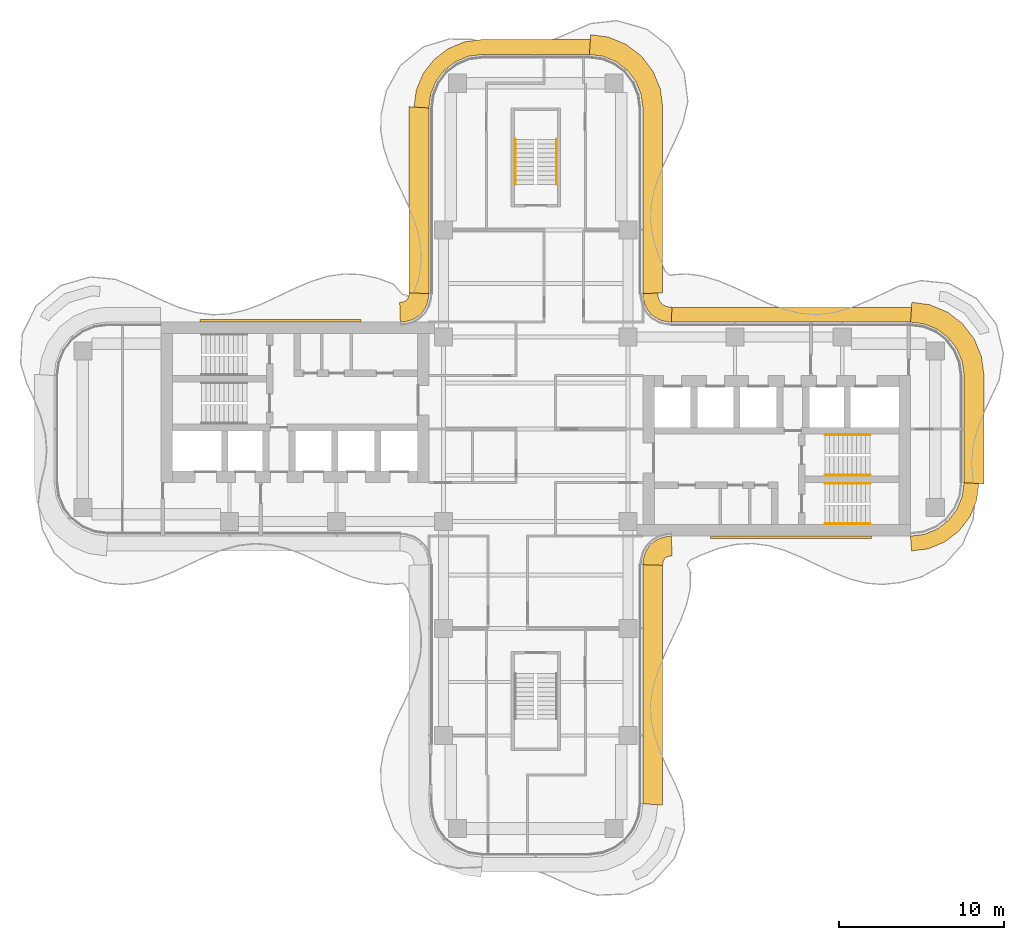
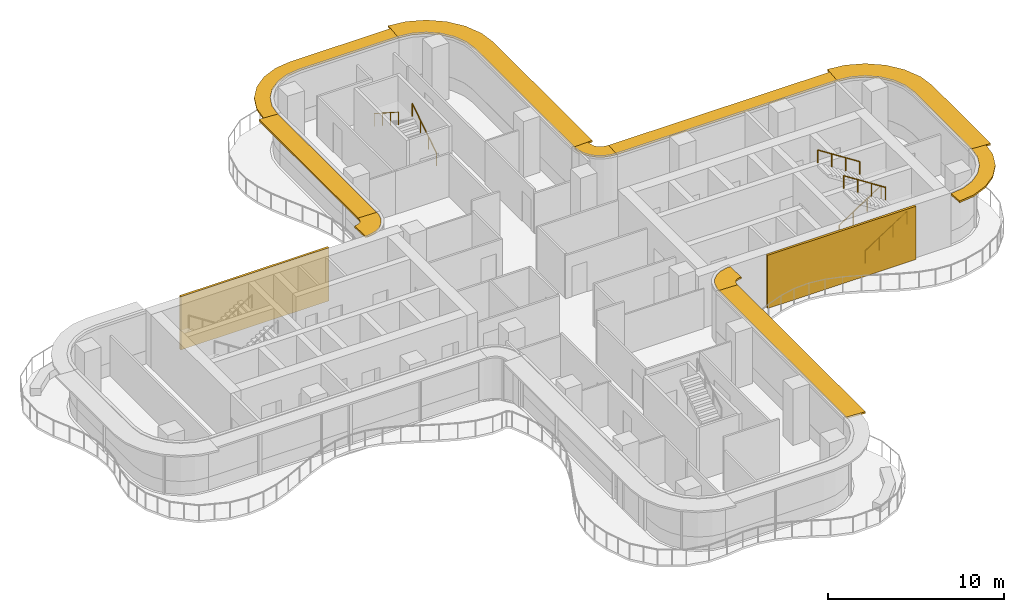
# One storey, part 17 of 17: 10 shading devices, 6 railings, 2 coverings.
"""IFC4 building model written with IfcOpenShell, lengths in metres."""

from ifc_helpers import new_model, si_unit, direction, frame, origin, origin_2d, place, context, subcontext, project, spatial, polyline, circle, outline, extrude, source, transform, mapped, material, layer, layer_set, type_object, element, save


model = new_model("IFC4")

# Units and contexts
model_context = context("Model", 3, precision=1e-05, world=origin(), true_north=direction((0.0, 1.0)))
body_context = subcontext(model_context, "Body", "Model", "MODEL_VIEW")
ifc_project = project(units=[si_unit("LENGTHUNIT", "METRE"), si_unit("AREAUNIT", "SQUARE_METRE"), si_unit("VOLUMEUNIT", "CUBIC_METRE"), si_unit("PLANEANGLEUNIT", "RADIAN"), si_unit("MASSUNIT", "GRAM", prefix="KILO")], contexts=[model_context])

# Site, building, storey
site_placement = place(None, origin())
site = spatial("IfcSite", under=ifc_project, at=site_placement, CompositionType="ELEMENT")
building_placement = place(site_placement, origin())
building = spatial("IfcBuilding", under=site, at=building_placement, Name="Trellis Farm Tower", CompositionType="ELEMENT")
storey_placement = place(building_placement, frame((0.0, 0.0, 240.199951171875)))
storey = spatial("IfcBuildingStorey", under=building, at=storey_placement, Name="L53", CompositionType="ELEMENT", Elevation=240.199951171875)

# Railings
ifc_material_1 = material(Name="Stainless steel", Category="steel")
railing_type = type_object("IfcRailingType", Name="STAIR HANDRAIL 900", PredefinedType="HANDRAIL", material=ifc_material_1)
shared_shape_1 = source(origin(), body_context, "Body", "SweptSolid", [
    extrude(circle(Radius=0.02392578125, at=origin_2d()), frame((0.0, 0.0, 0.8759765625), z_axis=(0.0, 0.840503830235, 0.541805602924), x_axis=(-1.0, 0.0, 0.0)), (0.0, 0.0, 1.0), 3.271728515625),
    extrude(circle(Radius=0.02099609375, at=origin_2d()), origin(), (0.0, 0.0, 1.0), 0.851806640625),
    extrude(circle(Radius=0.02099609375, at=origin_2d()), frame((0.0, 0.916748046875, 0.5908203125)), (0.0, 0.0, 1.0), 0.851806640625),
    extrude(circle(Radius=0.02099609375, at=origin_2d()), frame((0.0, 1.833251953125, 1.181884765625)), (0.0, 0.0, 1.0), 0.851806640625),
    extrude(circle(Radius=0.02099609375, at=origin_2d()), frame((0.0, 2.75, 1.772705078125)), (0.0, 0.0, 1.0), 0.851806640625),
])
railing_1_placement = place(storey_placement, frame((1.25, 14.85009765625, 0.17724609375)))
element("IfcRailing", 1, at=railing_1_placement, inside=storey, type_object=railing_type, Name="Stair handrail", PredefinedType="HANDRAIL", context=body_context, shape_type="MappedRepresentation", body=[
    mapped(shared_shape_1, transform((0.0, 0.0, 0.0))),
])
shared_shape_2 = source(origin(), body_context, "Body", "SweptSolid", [
    extrude(circle(Radius=0.02392578125, at=origin_2d()), frame((0.0, 0.0, 0.8759765625), z_axis=(0.0, -0.840503830235, 0.541805602924), x_axis=(1.0, 0.0, 0.0)), (0.0, 0.0, 1.0), 3.271728515625),
    extrude(circle(Radius=0.02099609375, at=origin_2d()), origin(), (0.0, 0.0, 1.0), 0.851806640625),
    extrude(circle(Radius=0.02099609375, at=origin_2d()), frame((0.0, -0.916748046875, 0.5908203125)), (0.0, 0.0, 1.0), 0.851806640625),
    extrude(circle(Radius=0.02099609375, at=origin_2d()), frame((0.0, -1.833251953125, 1.181884765625)), (0.0, 0.0, 1.0), 0.851806640625),
    extrude(circle(Radius=0.02099609375, at=origin_2d()), frame((0.0, -2.75, 1.772705078125)), (0.0, 0.0, 1.0), 0.851806640625),
])
railing_2_placement = place(storey_placement, frame((-1.25, 17.60009765625, 2.12744140625)))
element("IfcRailing", 2, at=railing_2_placement, inside=storey, type_object=railing_type, Name="Stair handrail", PredefinedType="HANDRAIL", context=body_context, shape_type="MappedRepresentation", body=[
    mapped(shared_shape_2, transform((0.0, 0.0, 0.0))),
])
shared_shape_3 = source(origin(), body_context, "Body", "SweptSolid", [
    extrude(circle(Radius=0.02392578125, at=origin_2d()), frame((0.0, 0.0, 0.8759765625), z_axis=(0.840503830235, 0.0, 0.541805602924), x_axis=(0.0, 1.0, 0.0)), (0.0, 0.0, 1.0), 3.271728515625),
    extrude(circle(Radius=0.02099609375, at=origin_2d()), origin(), (0.0, 0.0, 1.0), 0.851806640625),
    extrude(circle(Radius=0.02099609375, at=origin_2d()), frame((0.916748046875, 0.0, 0.5908203125)), (0.0, 0.0, 1.0), 0.851806640625),
    extrude(circle(Radius=0.02099609375, at=origin_2d()), frame((1.833251953125, 0.0, 1.181884765625)), (0.0, 0.0, 1.0), 0.851806640625),
    extrude(circle(Radius=0.02099609375, at=origin_2d()), frame((2.75, 0.0, 1.772705078125)), (0.0, 0.0, 1.0), 0.851806640625),
])
for number, where, name in (
    (3, (17.550048828125, -5.75, 0.17724609375), "Stair handrail"),
    (4, (17.550048828125, -2.800048828125, 0.17724609375), "Stair handrail"),
):
    element("IfcRailing", number, at=place(storey_placement, frame(where)), inside=storey, type_object=railing_type, Name=name, PredefinedType="HANDRAIL", context=body_context, shape_type="MappedRepresentation", body=[
        mapped(shared_shape_3, transform((0.0, 0.0, 0.0))),
    ])
shared_shape_4 = source(origin(), body_context, "Body", "SweptSolid", [
    extrude(circle(Radius=0.02392578125, at=origin_2d()), frame((0.0, 0.0, 0.8759765625), z_axis=(-0.840503830235, 0.0, 0.541805602924), x_axis=(0.0, -1.0, 0.0)), (0.0, 0.0, 1.0), 3.271728515625),
    extrude(circle(Radius=0.02099609375, at=origin_2d()), origin(), (0.0, 0.0, 1.0), 0.851806640625),
    extrude(circle(Radius=0.02099609375, at=origin_2d()), frame((-0.916748046875, 0.0, 0.5908203125)), (0.0, 0.0, 1.0), 0.851806640625),
    extrude(circle(Radius=0.02099609375, at=origin_2d()), frame((-1.833251953125, 0.0, 1.181884765625)), (0.0, 0.0, 1.0), 0.851806640625),
    extrude(circle(Radius=0.02099609375, at=origin_2d()), frame((-2.75, 0.0, 1.772705078125)), (0.0, 0.0, 1.0), 0.851806640625),
])
for number, where, name in (
    (5, (20.300048828125, -3.300048828125, 2.12744140625), "Stair handrail"),
    (6, (20.300048828125, -0.35009765625, 2.12744140625), "Stair handrail"),
):
    element("IfcRailing", number, at=place(storey_placement, frame(where)), inside=storey, type_object=railing_type, Name=name, PredefinedType="HANDRAIL", context=body_context, shape_type="MappedRepresentation", body=[
        mapped(shared_shape_4, transform((0.0, 0.0, 0.0))),
    ])

# Shading devices
ifc_material_2 = material(Name="Aluminium extrusion 6063-T6", Category="aluminium")
ifc_layer_1 = layer(ifc_material_2, 0.1201171875)
ifc_layer_set_1 = layer_set([ifc_layer_1], Name="SUNSHADE BLADE 1200")
shading_device_type_1 = type_object("IfcShadingDeviceType", Name="SUNSHADE BLADE 1200", PredefinedType="USERDEFINED", material=ifc_layer_set_1)
shared_shape_5 = source(origin(), body_context, "Body", "SweptSolid", [
    extrude(outline(polyline([(7.699951171875, -22.82861328125), (7.699951171875, -8.270751953125), (6.5, -8.2314453125), (6.5, -22.75), (7.699951171875, -22.82861328125)])), origin(), (0.0, 0.0, 1.0), 0.1201171875),
])
placement_1 = place(storey_placement, frame((0.0, 0.0, 3.5400390625)))
element("IfcShadingDevice", 7, at=placement_1, inside=storey, type_object=shading_device_type_1, Name="SD2 005", ObjectType="SUNSHADE", PredefinedType="USERDEFINED", context=body_context, shape_type="MappedRepresentation", body=[
    mapped(shared_shape_5, transform((0.0, 0.0, 0.0))),
])
shared_shape_6 = source(origin(), body_context, "Body", "SweptSolid", [
    extrude(outline(polyline([(7.699951171875, -8.270751953125), (7.708740234375, -8.13720703125), (7.70703125, -8.150146484375), (7.7548828125, -7.9716796875), (7.80712890625, -7.881103515625), (7.881103515625, -7.80712890625), (7.9716796875, -7.7548828125), (8.150146484375, -7.70703125), (8.13720703125, -7.708740234375), (8.270751953125, -7.699951171875), (8.2314453125, -6.5), (8.01953125, -6.513916015625), (7.91552734375, -6.527587890625), (7.508544921875, -6.63671875), (7.144287109375, -6.846923828125), (6.846923828125, -7.144287109375), (6.63671875, -7.508544921875), (6.527587890625, -7.91552734375), (6.513916015625, -8.01953125), (6.5, -8.2314453125), (7.699951171875, -8.270751953125)])), origin(), (0.0, 0.0, 1.0), 0.1201171875),
])
element("IfcShadingDevice", 8, at=placement_1, inside=storey, type_object=shading_device_type_1, Name="SD2 006", ObjectType="SUNSHADE", PredefinedType="USERDEFINED", context=body_context, shape_type="MappedRepresentation", body=[
    mapped(shared_shape_6, transform((0.0, 0.0, 0.0))),
])
ifc_layer_2 = layer(ifc_material_2, 0.1201171875)
ifc_layer_set_2 = layer_set([ifc_layer_2], Name="SUNSHADE BLADE 900")
shading_device_type_2 = type_object("IfcShadingDeviceType", Name="SUNSHADE BLADE 900", PredefinedType="USERDEFINED", material=ifc_layer_set_2)
shared_shape_7 = source(origin(), body_context, "Body", "SweptSolid", [
    extrude(outline(polyline([(8.2607421875, 7.39990234375), (8.107666015625, 7.409912109375), (8.091552734375, 7.412109375), (7.85595703125, 7.475341796875), (7.697021484375, 7.567138671875), (7.567138671875, 7.697021484375), (7.475341796875, 7.85595703125), (7.412109375, 8.091552734375), (7.409912109375, 8.107666015625), (7.39990234375, 8.2607421875), (6.5, 8.2314453125), (6.513916015625, 8.01953125), (6.527587890625, 7.91552734375), (6.63671875, 7.508544921875), (6.846923828125, 7.144287109375), (7.144287109375, 6.846923828125), (7.508544921875, 6.63671875), (7.91552734375, 6.527587890625), (8.01953125, 6.513916015625), (8.2314453125, 6.5), (8.2607421875, 7.39990234375)])), origin(), (0.0, 0.0, 1.0), 0.1201171875),
])
element("IfcShadingDevice", 9, at=placement_1, inside=storey, type_object=shading_device_type_2, Name="SD1 010", ObjectType="SUNSHADE", PredefinedType="USERDEFINED", context=body_context, shape_type="MappedRepresentation", body=[
    mapped(shared_shape_7, transform((0.0, 0.0, 0.0))),
])
shared_shape_8 = source(origin(), body_context, "Body", "SweptSolid", [
    extrude(outline(polyline([(-7.699951171875, 8.270751953125), (-7.708740234375, 8.13720703125), (-7.70703125, 8.150146484375), (-7.7548828125, 7.9716796875), (-7.80712890625, 7.881103515625), (-7.881103515625, 7.80712890625), (-7.9716796875, 7.7548828125), (-8.150146484375, 7.70703125), (-8.13720703125, 7.708740234375), (-8.270751953125, 7.699951171875), (-8.2314453125, 6.5), (-8.01953125, 6.513916015625), (-7.91552734375, 6.527587890625), (-7.508544921875, 6.63671875), (-7.144287109375, 6.846923828125), (-6.846923828125, 7.144287109375), (-6.63671875, 7.508544921875), (-6.527587890625, 7.91552734375), (-6.513916015625, 8.01953125), (-6.5, 8.2314453125), (-7.699951171875, 8.270751953125)])), origin(), (0.0, 0.0, 1.0), 0.1201171875),
])
element("IfcShadingDevice", 10, at=placement_1, inside=storey, type_object=shading_device_type_1, Name="SD2 014", ObjectType="SUNSHADE", PredefinedType="USERDEFINED", context=body_context, shape_type="MappedRepresentation", body=[
    mapped(shared_shape_8, transform((0.0, 0.0, 0.0))),
])

# Covering
ifc_material_3 = material(Name="Perforated precast screen (cobogo)", Category="concrete")
ifc_layer_3 = layer(ifc_material_3, 0.14990234375)
ifc_layer_set_3 = layer_set([ifc_layer_3], Name="COBOGO SCREEN PANEL")
covering_type = type_object("IfcCoveringType", Name="COBOGO SCREEN PANEL", PredefinedType="USERDEFINED", material=ifc_layer_set_3)
shared_shape_9 = source(origin(), body_context, "Body", "SweptSolid", [
    extrude(outline(polyline([(-10.630615234375, 6.64990234375), (-20.380615234375, 6.64990234375), (-20.380615234375, 6.5), (-10.630615234375, 6.5), (-10.630615234375, 6.64990234375)])), origin(), (0.0, 0.0, 1.0), 3.699951171875),
])
placement_2 = place(storey_placement, origin())
element("IfcCovering", 11, at=placement_2, inside=storey, type_object=covering_type, Name="SC1 02", ObjectType="SCREEN", PredefinedType="USERDEFINED", context=body_context, shape_type="MappedRepresentation", body=[
    mapped(shared_shape_9, transform((0.0, 0.0, 0.0))),
])

# Shading devices
shared_shape_10 = source(origin(), body_context, "Body", "SweptSolid", [
    extrude(outline(polyline([(7.699951171875, 8.270751953125), (7.699951171875, 19.57861328125), (7.558349609375, 20.654541015625), (7.11279296875, 21.730224609375), (6.404052734375, 22.654052734375), (5.480224609375, 23.36279296875), (4.404541015625, 23.808349609375), (3.32861328125, 23.949951171875), (3.25, 22.75), (4.091064453125, 22.63916015625), (4.875, 22.314697265625), (5.548095703125, 21.798095703125), (6.064697265625, 21.125), (6.38916015625, 20.341064453125), (6.5, 19.5), (6.5, 8.2314453125), (7.699951171875, 8.270751953125)])), origin(), (0.0, 0.0, 1.0), 0.1201171875),
])
element("IfcShadingDevice", 12, at=placement_1, inside=storey, type_object=shading_device_type_1, Name="SD2 011", ObjectType="SUNSHADE", PredefinedType="USERDEFINED", context=body_context, shape_type="MappedRepresentation", body=[
    mapped(shared_shape_10, transform((0.0, 0.0, 0.0))),
])
shared_shape_11 = source(origin(), body_context, "Body", "SweptSolid", [
    extrude(outline(polyline([(3.30908203125, 23.64990234375), (-3.30908203125, 23.64990234375), (-4.326171875, 23.51611328125), (-5.328857421875, 23.100830078125), (-6.18994140625, 22.43994140625), (-6.850830078125, 21.578857421875), (-7.26611328125, 20.576171875), (-7.39990234375, 19.55908203125), (-6.5, 19.5), (-6.38916015625, 20.341064453125), (-6.064697265625, 21.125), (-5.548095703125, 21.798095703125), (-4.875, 22.314697265625), (-4.091064453125, 22.63916015625), (-3.25, 22.75), (3.25, 22.75), (3.30908203125, 23.64990234375)])), origin(), (0.0, 0.0, 1.0), 0.1201171875),
])
element("IfcShadingDevice", 13, at=placement_1, inside=storey, type_object=shading_device_type_2, Name="SD1 012", ObjectType="SUNSHADE", PredefinedType="USERDEFINED", context=body_context, shape_type="MappedRepresentation", body=[
    mapped(shared_shape_11, transform((0.0, 0.0, 0.0))),
])
shared_shape_12 = source(origin(), body_context, "Body", "SweptSolid", [
    extrude(outline(polyline([(-7.699951171875, 19.57861328125), (-7.699951171875, 8.270751953125), (-6.5, 8.2314453125), (-6.5, 19.5), (-7.699951171875, 19.57861328125)])), origin(), (0.0, 0.0, 1.0), 0.1201171875),
])
element("IfcShadingDevice", 14, at=placement_1, inside=storey, type_object=shading_device_type_1, Name="SD2 013", ObjectType="SUNSHADE", PredefinedType="USERDEFINED", context=body_context, shape_type="MappedRepresentation", body=[
    mapped(shared_shape_12, transform((0.0, 0.0, 0.0))),
])
shared_shape_13 = source(origin(), body_context, "Body", "SweptSolid", [
    extrude(outline(polyline([(22.80908203125, -7.39990234375), (23.826171875, -7.26611328125), (24.828857421875, -6.850830078125), (25.68994140625, -6.18994140625), (26.350830078125, -5.328857421875), (26.76611328125, -4.326171875), (26.89990234375, -3.30908203125), (26.0, -3.25), (25.88916015625, -4.091064453125), (25.564697265625, -4.875), (25.048095703125, -5.548095703125), (24.375, -6.064697265625), (23.591064453125, -6.38916015625), (22.75, -6.5), (22.80908203125, -7.39990234375)])), origin(), (0.0, 0.0, 1.0), 0.1201171875),
])
element("IfcShadingDevice", 15, at=placement_1, inside=storey, type_object=shading_device_type_2, Name="SD1 007", ObjectType="SUNSHADE", PredefinedType="USERDEFINED", context=body_context, shape_type="MappedRepresentation", body=[
    mapped(shared_shape_13, transform((0.0, 0.0, 0.0))),
])
shared_shape_14 = source(origin(), body_context, "Body", "SweptSolid", [
    extrude(outline(polyline([(27.199951171875, -3.32861328125), (27.199951171875, 3.32861328125), (27.058349609375, 4.404541015625), (26.61279296875, 5.480224609375), (25.904052734375, 6.404052734375), (24.980224609375, 7.11279296875), (23.904541015625, 7.558349609375), (22.82861328125, 7.699951171875), (22.75, 6.5), (23.591064453125, 6.38916015625), (24.375, 6.064697265625), (25.048095703125, 5.548095703125), (25.564697265625, 4.875), (25.88916015625, 4.091064453125), (26.0, 3.25), (26.0, -3.25), (27.199951171875, -3.32861328125)])), origin(), (0.0, 0.0, 1.0), 0.1201171875),
])
element("IfcShadingDevice", 16, at=placement_1, inside=storey, type_object=shading_device_type_1, Name="SD2 008", ObjectType="SUNSHADE", PredefinedType="USERDEFINED", context=body_context, shape_type="MappedRepresentation", body=[
    mapped(shared_shape_14, transform((0.0, 0.0, 0.0))),
])
shared_shape_15 = source(origin(), body_context, "Body", "SweptSolid", [
    extrude(outline(polyline([(22.80908203125, 7.39990234375), (8.2607421875, 7.39990234375), (8.2314453125, 6.5), (22.75, 6.5), (22.80908203125, 7.39990234375)])), origin(), (0.0, 0.0, 1.0), 0.1201171875),
])
element("IfcShadingDevice", 17, at=placement_1, inside=storey, type_object=shading_device_type_2, Name="SD1 009", ObjectType="SUNSHADE", PredefinedType="USERDEFINED", context=body_context, shape_type="MappedRepresentation", body=[
    mapped(shared_shape_15, transform((0.0, 0.0, 0.0))),
])

# Covering
shared_shape_16 = source(origin(), body_context, "Body", "SweptSolid", [
    extrude(outline(polyline([(10.61572265625, -6.64990234375), (20.36572265625, -6.64990234375), (20.36572265625, -6.5), (10.61572265625, -6.5), (10.61572265625, -6.64990234375)])), origin(), (0.0, 0.0, 1.0), 3.699951171875),
])
element("IfcCovering", 18, at=placement_2, inside=storey, type_object=covering_type, Name="SC1 01", ObjectType="SCREEN", PredefinedType="USERDEFINED", context=body_context, shape_type="MappedRepresentation", body=[
    mapped(shared_shape_16, transform((0.0, 0.0, 0.0))),
])

save(model, "model.ifc")
